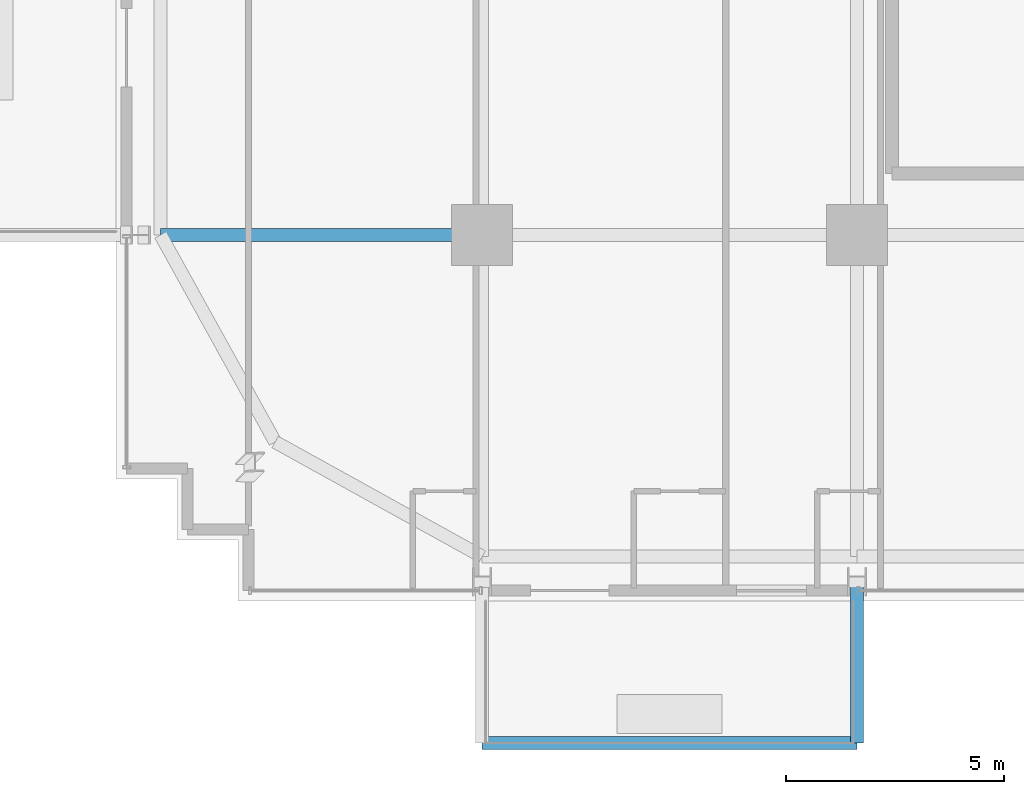
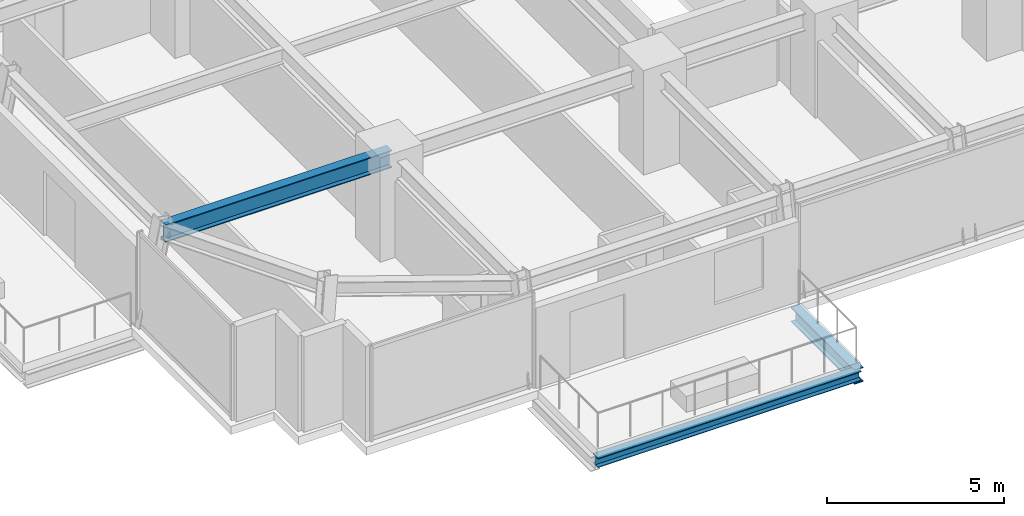
# One storey, part 4 of 35: 3 beams.
"""IFC4 building model written with IfcOpenShell, lengths in metres."""

from ifc_helpers import new_model, si_unit, direction, frame, origin, origin_2d, place, context, subcontext, project, spatial, i_section, extrude, source, transform, mapped, material, material_profile, profile_set, type_object, element, save


model = new_model("IFC4")

# Units and contexts
model_context = context("Model", 3, precision=1e-05, world=origin(), true_north=direction((0.0, 1.0)))
body_context = subcontext(model_context, "Body", "Model", "MODEL_VIEW")
ifc_project = project(units=[si_unit("LENGTHUNIT", "METRE"), si_unit("AREAUNIT", "SQUARE_METRE"), si_unit("VOLUMEUNIT", "CUBIC_METRE"), si_unit("PLANEANGLEUNIT", "RADIAN"), si_unit("MASSUNIT", "GRAM", prefix="KILO")], contexts=[model_context])

# Site, building, storey
site_placement = place(None, origin())
site = spatial("IfcSite", under=ifc_project, at=site_placement, CompositionType="ELEMENT")
building_placement = place(site_placement, origin())
building = spatial("IfcBuilding", under=site, at=building_placement, Name="Nahalor Promenade Grand Hotel", CompositionType="ELEMENT")
storey_placement = place(building_placement, frame((0.0, 0.0, 79.85009765625)))
storey = spatial("IfcBuildingStorey", under=building, at=storey_placement, Name="L19", CompositionType="ELEMENT", Elevation=79.85009765625)

# Beams
ifc_material = material(Name="Steel S355JR", Category="steel")
ifc_material_profile_1 = material_profile(ifc_material, i_section(OverallWidth=0.3, OverallDepth=0.32, WebThickness=0.0115, FlangeThickness=0.0205, at=origin_2d()), Name="HEB 320")
ifc_profile_set_1 = profile_set([ifc_material_profile_1], Name="Steel S355JR")
beam_type_1 = type_object("IfcBeamType", Name="Beam-BalcEdge-HEB320", PredefinedType="SPANDREL", material=ifc_profile_set_1)
shared_shape_1 = source(origin(), body_context, "Body", "SweptSolid", [
    extrude(i_section(OverallWidth=0.3, OverallDepth=0.32, WebThickness=0.0115, FlangeThickness=0.0205, at=origin_2d()), origin(), (0.0, 0.0, 1.0), 8.60009765625),
])
beam_1_placement = place(storey_placement, frame((-17.0, -28.659912109375, -0.440185546875), z_axis=(1.0, 0.0, 0.0), x_axis=(0.0, 1.0, 0.0)))
element("IfcBeam", 1, at=beam_1_placement, inside=storey, type_object=beam_type_1, Name="BM-L19-BC-01-F", PredefinedType="SPANDREL", context=body_context, shape_type="MappedRepresentation", body=[
    mapped(shared_shape_1, transform((0.0, 0.0, 0.0), scale=1.0)),
])
ifc_material_profile_2 = material_profile(ifc_material, i_section(OverallWidth=0.3, OverallDepth=0.5, WebThickness=0.0145, FlangeThickness=0.028, at=origin_2d()), Name="HEB 500")
ifc_profile_set_2 = profile_set([ifc_material_profile_2], Name="Steel S355JR")
beam_type_2 = type_object("IfcBeamType", Name="Beam-Outrigger-HEB500", PredefinedType="BEAM", material=ifc_profile_set_2)
shared_shape_2 = source(origin(), body_context, "Body", "SweptSolid", [
    extrude(i_section(OverallWidth=0.3, OverallDepth=0.5, WebThickness=0.0145, FlangeThickness=0.028, at=origin_2d()), origin(), (0.0, 0.0, 1.0), 3.579833984375),
])
beam_2_placement = place(storey_placement, frame((-8.39990234375, -28.659912109375, -0.530029296875), z_axis=(0.0, 1.0, 0.0), x_axis=(-1.0, 0.0, 0.0)))
element("IfcBeam", 2, at=beam_2_placement, inside=storey, type_object=beam_type_2, Name="BM-L19-BC-01-2", PredefinedType="BEAM", context=body_context, shape_type="MappedRepresentation", body=[
    mapped(shared_shape_2, transform((0.0, 0.0, 0.0), scale=1.0)),
])
ifc_material_profile_3 = material_profile(ifc_material, i_section(OverallWidth=0.3, OverallDepth=0.6, WebThickness=0.0155, FlangeThickness=0.03, at=origin_2d()), Name="HEB 600")
ifc_profile_set_3 = profile_set([ifc_material_profile_3], Name="Steel S355JR")
beam_type_3 = type_object("IfcBeamType", Name="Beam-Girder-HEB600", PredefinedType="BEAM", material=ifc_profile_set_3)
shared_shape_3 = source(origin(), body_context, "Body", "SweptSolid", [
    extrude(i_section(OverallWidth=0.3, OverallDepth=0.6, WebThickness=0.0155, FlangeThickness=0.03, at=origin_2d()), origin(), (0.0, 0.0, 1.0), 7.3798828125),
])
beam_3_placement = place(storey_placement, frame((-24.3798828125, -17.0, 2.989990234375), z_axis=(1.0, 0.0, 0.0), x_axis=(0.0, 1.0, 0.0)))
element("IfcBeam", 3, at=beam_3_placement, inside=storey, type_object=beam_type_3, Name="BM-L19-GX-0-0", PredefinedType="BEAM", context=body_context, shape_type="MappedRepresentation", body=[
    mapped(shared_shape_3, transform((0.0, 0.0, 0.0), scale=1.0)),
])

save(model, "model.ifc")
